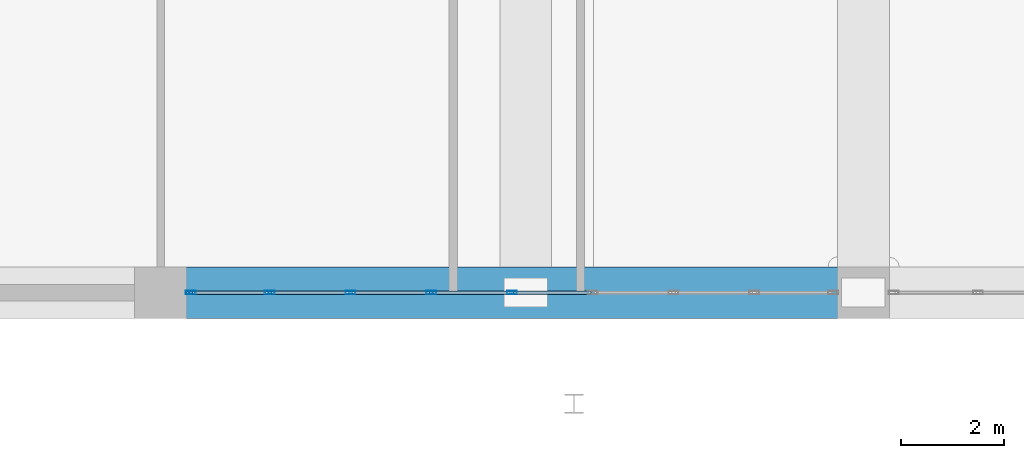
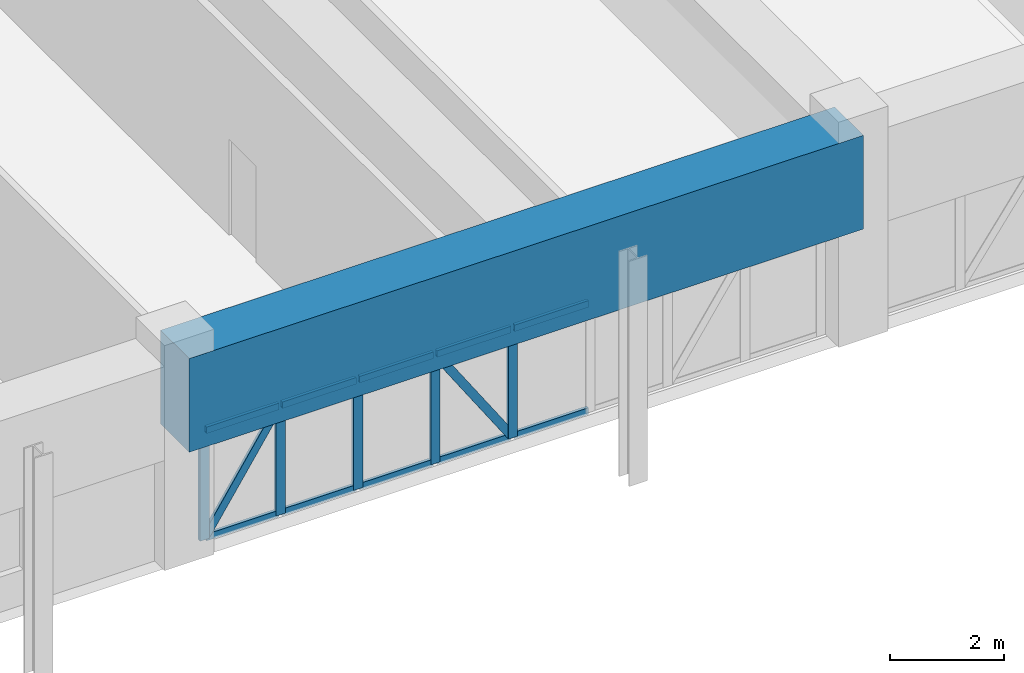
# One storey, part 5 of 44: 17 members, 1 beam, 1 element without a shape of its own.
"""IFC4 building model written with IfcOpenShell, lengths in metres."""

from ifc_helpers import new_model, si_unit, derived_unit, direction, frame, origin, origin_2d, place, context, subcontext, project, spatial, rectangle, hollow_rectangle, extrude, source, transform, mapped, material, layer, layer_set, material_profile, profile_set, type_object, element, aggregate, save


model = new_model("IFC4")

# Units and contexts
model_context = context("Model", 3, precision=1e-05, world=origin(), true_north=direction((0.0, 1.0)))
body_context = subcontext(model_context, "Body", "Model", "MODEL_VIEW")
ifc_project = project(units=[si_unit("LENGTHUNIT", "METRE"), si_unit("AREAUNIT", "SQUARE_METRE"), si_unit("VOLUMEUNIT", "CUBIC_METRE"), si_unit("PLANEANGLEUNIT", "RADIAN"), si_unit("MASSUNIT", "GRAM", prefix="KILO"), derived_unit("THERMALTRANSMITTANCEUNIT", [(si_unit("POWERUNIT", "WATT"), 1), (si_unit("LENGTHUNIT", "METRE"), -2), (si_unit("THERMODYNAMICTEMPERATUREUNIT", "KELVIN"), -1)])], contexts=[model_context])

# Site, building, storey
site_placement = place(None, origin())
site = spatial("IfcSite", under=ifc_project, at=site_placement, CompositionType="ELEMENT")
building_placement = place(site_placement, origin())
building = spatial("IfcBuilding", under=site, at=building_placement, Name="Korsvarv Bourse and Concert Hall", CompositionType="ELEMENT")
storey_placement = place(building_placement, frame((0.0, 0.0, 9.60009765625)))
storey = spatial("IfcBuildingStorey", under=building, at=storey_placement, Name="L02", CompositionType="ELEMENT", Elevation=9.60009765625)

# Beam
ifc_material_1 = material(Name="Concrete C60/75", Category="concrete")
ifc_material_profile_1 = material_profile(ifc_material_1, rectangle(XDim=1.0, YDim=2.0, at=origin_2d()), Name="RC-BM 1000x2000")
ifc_profile_set_1 = profile_set([ifc_material_profile_1], Name="Concrete C60/75")
beam_type = type_object("IfcBeamType", Name="BM-TR1", PredefinedType="BEAM", material=ifc_profile_set_1)
shared_shape_1 = source(origin(), body_context, "Body", "SweptSolid", [
    extrude(rectangle(XDim=1.0, YDim=2.0, at=origin_2d()), origin(), (0.0, 0.0, 1.0), 13.60009765625),
])
beam_placement = place(storey_placement, frame((14.0, 3.0, 3.349853515625), z_axis=(1.0, 0.0, 0.0), x_axis=(0.0, 1.0, 0.0)))
element("IfcBeam", 1, at=beam_placement, inside=storey, type_object=beam_type, Name="L02 beam B-TR1", PredefinedType="BEAM", context=body_context, shape_type="MappedRepresentation", body=[
    mapped(shared_shape_1, transform((0.0, 0.0, 0.0), scale=1.0)),
])

# Curtain wall, members
ifc_material_2 = material(Name="Anodised aluminium and triple low-E glazing", Category="glass")
ifc_layer = layer(ifc_material_2, 0.239990234375)
ifc_layer_set = layer_set([ifc_layer], Name="Anodised aluminium and triple low-E glazing")
curtain_wall_type = type_object("IfcCurtainWallType", Name="CW-SYS-5", PredefinedType="NOTDEFINED", material=ifc_layer_set)
curtain_wall_placement = place(storey_placement, origin())
curtain_wall = element("IfcCurtainWall", 2, at=curtain_wall_placement, inside=storey, type_object=curtain_wall_type, Name="L02 CW5 curtain wall CW-L02-S2", PredefinedType="NOTDEFINED")
ifc_material_3 = material(Name="Extruded aluminium EN AW-6063 T66", Category="aluminium")
ifc_material_profile_2 = material_profile(ifc_material_3, hollow_rectangle(XDim=0.070068359375, YDim=0.18994140625, WallThickness=0.0048828125, at=origin_2d()), Name="ALU-M 70x190")
ifc_profile_set_2 = profile_set([ifc_material_profile_2], Name="Extruded aluminium EN AW-6063 T66")
member_type_1 = type_object("IfcMemberType", Name="CWM-190", PredefinedType="MULLION", material=ifc_profile_set_2)
shared_shape_2 = source(origin(), body_context, "Body", "SweptSolid", [
    extrude(hollow_rectangle(XDim=0.070068359375, YDim=0.18994140625, WallThickness=0.0048828125, at=origin_2d()), origin(), (0.0, 0.0, 1.0), 2.349853515625),
])
member_1_placement = place(storey_placement, frame((14.5849609375, 3.0, 0.0), z_axis=(0.0, 0.0, 1.0), x_axis=(0.0, 1.0, 0.0)))
member_1 = element("IfcMember", 3, at=member_1_placement, type_object=member_type_1, Name="CW5 mullion 1", PredefinedType="MULLION", context=body_context, shape_type="MappedRepresentation", body=[
    mapped(shared_shape_2, transform((0.0, 0.0, 0.0), scale=1.0)),
])
member_2_placement = place(storey_placement, frame((16.112548828125, 3.0, 0.0), z_axis=(0.0, 0.0, 1.0), x_axis=(0.0, 1.0, 0.0)))
member_2 = element("IfcMember", 4, at=member_2_placement, type_object=member_type_1, Name="CW5 mullion 2", PredefinedType="MULLION", context=body_context, shape_type="MappedRepresentation", body=[
    mapped(shared_shape_2, transform((0.0, 0.0, 0.0), scale=1.0)),
])
member_3_placement = place(storey_placement, frame((17.675048828125, 3.0, 0.0), z_axis=(0.0, 0.0, 1.0), x_axis=(0.0, 1.0, 0.0)))
member_3 = element("IfcMember", 5, at=member_3_placement, type_object=member_type_1, Name="CW5 mullion 3", PredefinedType="MULLION", context=body_context, shape_type="MappedRepresentation", body=[
    mapped(shared_shape_2, transform((0.0, 0.0, 0.0), scale=1.0)),
])
member_4_placement = place(storey_placement, frame((19.237548828125, 3.0, 0.0), z_axis=(0.0, 0.0, 1.0), x_axis=(0.0, 1.0, 0.0)))
member_4 = element("IfcMember", 6, at=member_4_placement, type_object=member_type_1, Name="CW5 mullion 4", PredefinedType="MULLION", context=body_context, shape_type="MappedRepresentation", body=[
    mapped(shared_shape_2, transform((0.0, 0.0, 0.0), scale=1.0)),
])
member_5_placement = place(storey_placement, frame((20.800048828125, 3.0, 0.0), z_axis=(0.0, 0.0, 1.0), x_axis=(0.0, 1.0, 0.0)))
member_5 = element("IfcMember", 7, at=member_5_placement, type_object=member_type_1, Name="CW5 mullion 5", PredefinedType="MULLION", context=body_context, shape_type="MappedRepresentation", body=[
    mapped(shared_shape_2, transform((0.0, 0.0, 0.0), scale=1.0)),
])
ifc_material_profile_3 = material_profile(ifc_material_3, hollow_rectangle(XDim=0.06494140625, YDim=0.139892578125, WallThickness=0.00390625, at=origin_2d()), Name="ALU-T 65x140")
ifc_profile_set_3 = profile_set([ifc_material_profile_3], Name="Extruded aluminium EN AW-6063 T66")
member_type_2 = type_object("IfcMemberType", Name="CWT-140", PredefinedType="USERDEFINED", material=ifc_profile_set_3)
shared_shape_3 = source(origin(), body_context, "Body", "SweptSolid", [
    extrude(hollow_rectangle(XDim=0.06494140625, YDim=0.139892578125, WallThickness=0.00390625, at=origin_2d()), origin(), (0.0, 0.0, 1.0), 1.457275390625),
])
member_6_placement = place(storey_placement, frame((14.6201171875, 3.0, 0.032470703125), z_axis=(1.0, 0.0, 0.0), x_axis=(0.0, 1.0, 0.0)))
member_6 = element("IfcMember", 8, at=member_6_placement, type_object=member_type_2, Name="CW5 transom 1.1", ObjectType="TRANSOM", PredefinedType="USERDEFINED", context=body_context, shape_type="MappedRepresentation", body=[
    mapped(shared_shape_3, transform((0.0, 0.0, 0.0), scale=1.0)),
])
member_7_placement = place(storey_placement, frame((14.6201171875, 3.0, 2.3173828125), z_axis=(1.0, 0.0, 0.0), x_axis=(0.0, 1.0, 0.0)))
member_7 = element("IfcMember", 9, at=member_7_placement, type_object=member_type_2, Name="CW5 transom 1.2", ObjectType="TRANSOM", PredefinedType="USERDEFINED", context=body_context, shape_type="MappedRepresentation", body=[
    mapped(shared_shape_3, transform((0.0, 0.0, 0.0), scale=1.0)),
])
ifc_material_profile_4 = material_profile(ifc_material_3, hollow_rectangle(XDim=0.06494140625, YDim=0.1650390625, WallThickness=0.0048828125, at=origin_2d()), Name="ALU-M 65x165")
ifc_profile_set_4 = profile_set([ifc_material_profile_4], Name="Extruded aluminium EN AW-6063 T66")
member_type_3 = type_object("IfcMemberType", Name="CWM-165", PredefinedType="MULLION", material=ifc_profile_set_4)
shared_shape_4 = source(origin(), body_context, "Body", "SweptSolid", [
    extrude(hollow_rectangle(XDim=0.06494140625, YDim=0.1650390625, WallThickness=0.0048828125, at=origin_2d()), origin(), (0.0, 0.0, 1.0), 2.655517578125),
])
member_8_placement = place(storey_placement, frame((14.6201171875, 3.0, 0.06494140625), z_axis=(0.54876688559, 0.0, 0.835975421456), x_axis=(0.0, 1.0, 0.0)))
member_8 = element("IfcMember", 10, at=member_8_placement, type_object=member_type_3, Name="CW5 diagonal mullion 1", PredefinedType="MULLION", context=body_context, shape_type="MappedRepresentation", body=[
    mapped(shared_shape_4, transform((0.0, 0.0, 0.0), scale=1.0)),
])
shared_shape_5 = source(origin(), body_context, "Body", "SweptSolid", [
    extrude(hollow_rectangle(XDim=0.06494140625, YDim=0.139892578125, WallThickness=0.00390625, at=origin_2d()), origin(), (0.0, 0.0, 1.0), 1.492431640625),
])
member_9_placement = place(storey_placement, frame((16.1474609375, 3.0, 0.032470703125), z_axis=(1.0, 0.0, 0.0), x_axis=(0.0, 1.0, 0.0)))
member_9 = element("IfcMember", 11, at=member_9_placement, type_object=member_type_2, Name="CW5 transom 2.1", ObjectType="TRANSOM", PredefinedType="USERDEFINED", context=body_context, shape_type="MappedRepresentation", body=[
    mapped(shared_shape_5, transform((0.0, 0.0, 0.0), scale=1.0)),
])
member_10_placement = place(storey_placement, frame((16.1474609375, 3.0, 2.3173828125), z_axis=(1.0, 0.0, 0.0), x_axis=(0.0, 1.0, 0.0)))
member_10 = element("IfcMember", 12, at=member_10_placement, type_object=member_type_2, Name="CW5 transom 2.2", ObjectType="TRANSOM", PredefinedType="USERDEFINED", context=body_context, shape_type="MappedRepresentation", body=[
    mapped(shared_shape_5, transform((0.0, 0.0, 0.0), scale=1.0)),
])
member_11_placement = place(storey_placement, frame((17.7099609375, 3.0, 0.032470703125), z_axis=(1.0, 0.0, 0.0), x_axis=(0.0, 1.0, 0.0)))
member_11 = element("IfcMember", 13, at=member_11_placement, type_object=member_type_2, Name="CW5 transom 3.1", ObjectType="TRANSOM", PredefinedType="USERDEFINED", context=body_context, shape_type="MappedRepresentation", body=[
    mapped(shared_shape_5, transform((0.0, 0.0, 0.0), scale=1.0)),
])
member_12_placement = place(storey_placement, frame((17.7099609375, 3.0, 2.3173828125), z_axis=(1.0, 0.0, 0.0), x_axis=(0.0, 1.0, 0.0)))
member_12 = element("IfcMember", 14, at=member_12_placement, type_object=member_type_2, Name="CW5 transom 3.2", ObjectType="TRANSOM", PredefinedType="USERDEFINED", context=body_context, shape_type="MappedRepresentation", body=[
    mapped(shared_shape_5, transform((0.0, 0.0, 0.0), scale=1.0)),
])
member_13_placement = place(storey_placement, frame((19.2724609375, 3.0, 0.032470703125), z_axis=(1.0, 0.0, 0.0), x_axis=(0.0, 1.0, 0.0)))
member_13 = element("IfcMember", 15, at=member_13_placement, type_object=member_type_2, Name="CW5 transom 4.1", ObjectType="TRANSOM", PredefinedType="USERDEFINED", context=body_context, shape_type="MappedRepresentation", body=[
    mapped(shared_shape_5, transform((0.0, 0.0, 0.0), scale=1.0)),
])
member_14_placement = place(storey_placement, frame((19.2724609375, 3.0, 2.3173828125), z_axis=(1.0, 0.0, 0.0), x_axis=(0.0, 1.0, 0.0)))
member_14 = element("IfcMember", 16, at=member_14_placement, type_object=member_type_2, Name="CW5 transom 4.2", ObjectType="TRANSOM", PredefinedType="USERDEFINED", context=body_context, shape_type="MappedRepresentation", body=[
    mapped(shared_shape_5, transform((0.0, 0.0, 0.0), scale=1.0)),
])
member_15_placement = place(storey_placement, frame((20.8349609375, 3.0, 0.032470703125), z_axis=(1.0, 0.0, 0.0), x_axis=(0.0, 1.0, 0.0)))
member_15 = element("IfcMember", 17, at=member_15_placement, type_object=member_type_2, Name="CW5 transom 5.1", ObjectType="TRANSOM", PredefinedType="USERDEFINED", context=body_context, shape_type="MappedRepresentation", body=[
    mapped(shared_shape_5, transform((0.0, 0.0, 0.0), scale=1.0)),
])
member_16_placement = place(storey_placement, frame((20.8349609375, 3.0, 2.3173828125), z_axis=(1.0, 0.0, 0.0), x_axis=(0.0, 1.0, 0.0)))
member_16 = element("IfcMember", 18, at=member_16_placement, type_object=member_type_2, Name="CW5 transom 5.2", ObjectType="TRANSOM", PredefinedType="USERDEFINED", context=body_context, shape_type="MappedRepresentation", body=[
    mapped(shared_shape_5, transform((0.0, 0.0, 0.0), scale=1.0)),
])
shared_shape_6 = source(origin(), body_context, "Body", "SweptSolid", [
    extrude(hollow_rectangle(XDim=0.06494140625, YDim=0.1650390625, WallThickness=0.0048828125, at=origin_2d()), origin(), (0.0, 0.0, 1.0), 2.675048828125),
])
member_17_placement = place(storey_placement, frame((20.764892578125, 3.0, 0.06494140625), z_axis=(-0.557918482421, 0.0, 0.829895756691), x_axis=(0.0, -1.0, 0.0)))
member_17 = element("IfcMember", 19, at=member_17_placement, type_object=member_type_3, Name="CW5 diagonal mullion 4", PredefinedType="MULLION", context=body_context, shape_type="MappedRepresentation", body=[
    mapped(shared_shape_6, transform((0.0, 0.0, 0.0), scale=1.0)),
])
aggregate(curtain_wall, [member_1, member_2, member_3, member_4, member_5, member_6, member_7, member_8, member_9, member_10, member_11, member_12, member_13, member_14, member_17, member_15, member_16])

save(model, "model.ifc")
